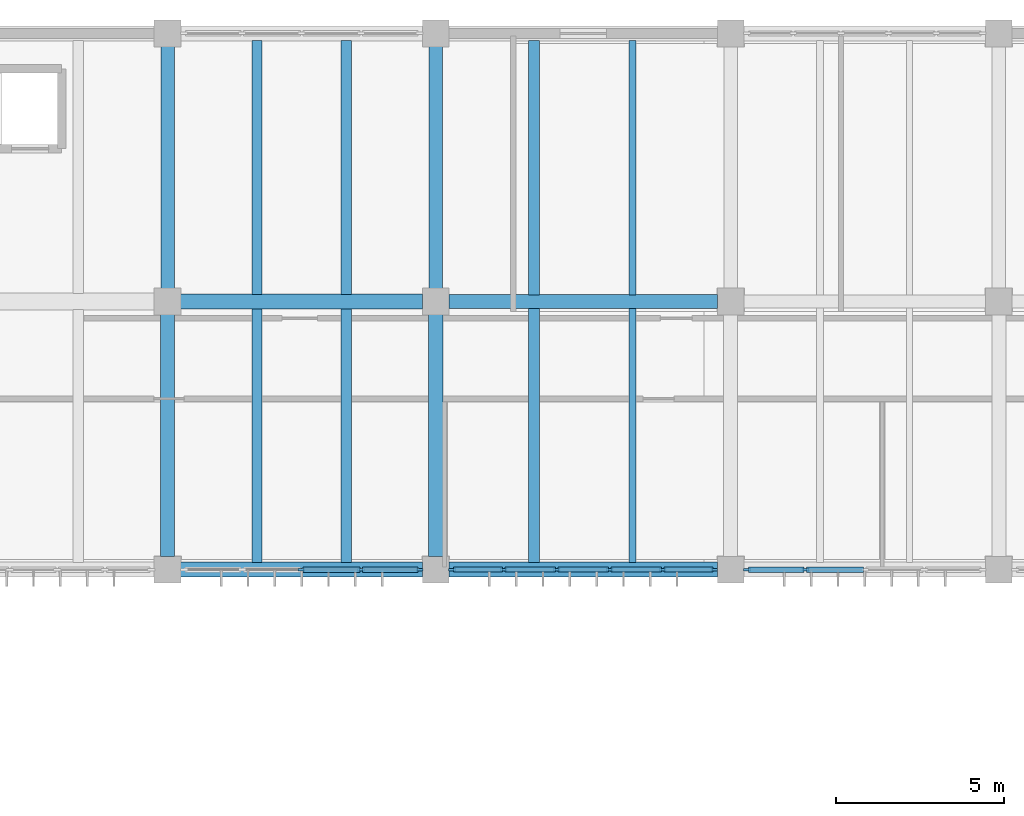
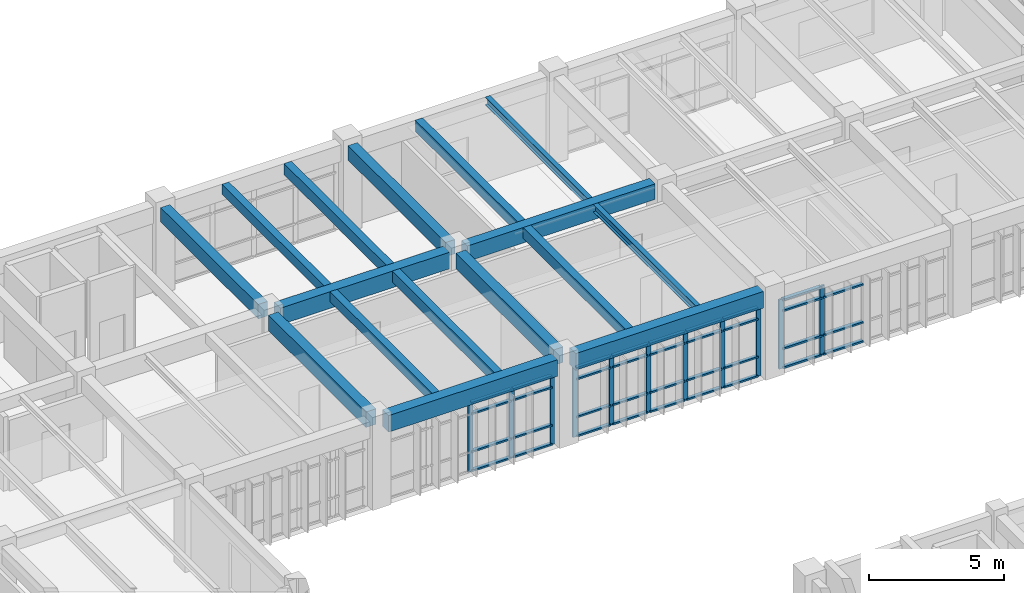
# One storey, part 18 of 67: 46 members, 16 beams, 3 elements without a shape of their own.
"""IFC4 building model written with IfcOpenShell, lengths in metres."""

from ifc_helpers import new_model, si_unit, direction, frame, origin, origin_2d, place, context, subcontext, project, spatial, rectangle, i_section, extrude, material, material_profile, profile_set, type_object, element, aggregate, save


model = new_model("IFC4")

# Units and contexts
model_context = context("Model", 3, precision=1e-05, world=origin(), true_north=direction((0.0, 1.0)))
body_context = subcontext(model_context, "Body", "Model", "MODEL_VIEW")
ifc_project = project(units=[si_unit("LENGTHUNIT", "METRE"), si_unit("AREAUNIT", "SQUARE_METRE"), si_unit("VOLUMEUNIT", "CUBIC_METRE"), si_unit("PLANEANGLEUNIT", "RADIAN"), si_unit("MASSUNIT", "GRAM", prefix="KILO")], contexts=[model_context])

# Site, building, storey
site_placement = place(None, origin())
site = spatial("IfcSite", under=ifc_project, at=site_placement, CompositionType="ELEMENT")
building_placement = place(site_placement, origin())
building = spatial("IfcBuilding", under=site, at=building_placement, Name="Tlaxcora Railside Police Headquarters", CompositionType="ELEMENT")
storey_placement = place(building_placement, frame((0.0, 0.0, 4.800048828125)))
storey = spatial("IfcBuildingStorey", under=building, at=storey_placement, Name="L01", CompositionType="ELEMENT", Elevation=4.800048828125)

# Curtain wall, members
ifc_material_1 = material(Name="Thermally broken low-E insulated glazing", Category="glass")
curtain_wall_type_1 = type_object("IfcCurtainWallType", Name="Unitised Curtain Wall Assembly CW-38", PredefinedType="NOTDEFINED", material=ifc_material_1)
curtain_wall_1_placement = place(storey_placement, origin())
curtain_wall_1 = element("IfcCurtainWall", 1, at=curtain_wall_1_placement, inside=storey, type_object=curtain_wall_type_1, Name="V5 L01 curtain wall 33", PredefinedType="NOTDEFINED")
ifc_material_2 = material(Name="Anodised aluminium framing", Category="aluminium")
ifc_material_profile_1 = material_profile(ifc_material_2, rectangle(XDim=0.074951171875, YDim=0.205078125, at=origin_2d()), Name="AL75X205")
ifc_profile_set_1 = profile_set([ifc_material_profile_1], Name="Anodised aluminium framing")
member_type_1 = type_object("IfcMemberType", Name="Curtain Wall Mullion CW-32", PredefinedType="MULLION", material=ifc_profile_set_1)
member_1_placement = place(storey_placement, frame((41.199951171875, 76.800048828125, 0.0), z_axis=(0.0, 0.0, 1.0), x_axis=(0.0, 1.0, 0.0)))
member_1 = element("IfcMember", 2, at=member_1_placement, type_object=member_type_1, Name="CW mullion 3", PredefinedType="MULLION", context=body_context, shape_type="SweptSolid", body=[
    extrude(rectangle(XDim=0.074951171875, YDim=0.205078125, at=origin_2d()), origin(), (0.0, 0.0, 1.0), 3.139892578125),
])
member_2_placement = place(storey_placement, frame((42.97509765625, 76.800048828125, 0.0), z_axis=(0.0, 0.0, 1.0), x_axis=(0.0, 1.0, 0.0)))
member_2 = element("IfcMember", 3, at=member_2_placement, type_object=member_type_1, Name="CW mullion 4", PredefinedType="MULLION", context=body_context, shape_type="SweptSolid", body=[
    extrude(rectangle(XDim=0.074951171875, YDim=0.205078125, at=origin_2d()), origin(), (0.0, 0.0, 1.0), 3.139892578125),
])
member_3_placement = place(storey_placement, frame((44.71240234375, 76.800048828125, 0.0), z_axis=(0.0, 0.0, 1.0), x_axis=(0.0, 1.0, 0.0)))
member_3 = element("IfcMember", 4, at=member_3_placement, type_object=member_type_1, Name="CW mullion 5", PredefinedType="MULLION", context=body_context, shape_type="SweptSolid", body=[
    extrude(rectangle(XDim=0.074951171875, YDim=0.205078125, at=origin_2d()), origin(), (0.0, 0.0, 1.0), 3.139892578125),
])

curtain_wall_type_2 = type_object("IfcCurtainWallType", Name="Unitised Curtain Wall Assembly CW-15", PredefinedType="NOTDEFINED", material=ifc_material_1)
curtain_wall_2_placement = place(storey_placement, origin())
curtain_wall_2 = element("IfcCurtainWall", 5, at=curtain_wall_2_placement, inside=storey, type_object=curtain_wall_type_2, Name="V5 L01 curtain wall 34", PredefinedType="NOTDEFINED")
ifc_material_profile_2 = material_profile(ifc_material_2, rectangle(XDim=0.074951171875, YDim=0.199951171875, at=origin_2d()), Name="AL75X200")
ifc_profile_set_2 = profile_set([ifc_material_profile_2], Name="Anodised aluminium framing")
member_type_2 = type_object("IfcMemberType", Name="Curtain Wall Mullion CW-58", PredefinedType="MULLION", material=ifc_profile_set_2)
member_4_placement = place(storey_placement, frame((45.6875, 76.800048828125, 0.0), z_axis=(0.0, 0.0, 1.0), x_axis=(0.0, 1.0, 0.0)))
member_4 = element("IfcMember", 6, at=member_4_placement, type_object=member_type_2, Name="CW mullion 1", PredefinedType="MULLION", context=body_context, shape_type="SweptSolid", body=[
    extrude(rectangle(XDim=0.074951171875, YDim=0.199951171875, at=origin_2d()), origin(), (0.0, 0.0, 1.0), 3.139892578125),
])
member_5_placement = place(storey_placement, frame((47.22998046875, 76.800048828125, 0.0), z_axis=(0.0, 0.0, 1.0), x_axis=(0.0, 1.0, 0.0)))
member_5 = element("IfcMember", 7, at=member_5_placement, type_object=member_type_2, Name="CW mullion 2", PredefinedType="MULLION", context=body_context, shape_type="SweptSolid", body=[
    extrude(rectangle(XDim=0.074951171875, YDim=0.199951171875, at=origin_2d()), origin(), (0.0, 0.0, 1.0), 3.139892578125),
])
member_6_placement = place(storey_placement, frame((48.81005859375, 76.800048828125, 0.0), z_axis=(0.0, 0.0, 1.0), x_axis=(0.0, 1.0, 0.0)))
member_6 = element("IfcMember", 8, at=member_6_placement, type_object=member_type_2, Name="CW mullion 3", PredefinedType="MULLION", context=body_context, shape_type="SweptSolid", body=[
    extrude(rectangle(XDim=0.074951171875, YDim=0.199951171875, at=origin_2d()), origin(), (0.0, 0.0, 1.0), 3.139892578125),
])
member_7_placement = place(storey_placement, frame((50.389892578125, 76.800048828125, 0.0), z_axis=(0.0, 0.0, 1.0), x_axis=(0.0, 1.0, 0.0)))
member_7 = element("IfcMember", 9, at=member_7_placement, type_object=member_type_2, Name="CW mullion 4", PredefinedType="MULLION", context=body_context, shape_type="SweptSolid", body=[
    extrude(rectangle(XDim=0.074951171875, YDim=0.199951171875, at=origin_2d()), origin(), (0.0, 0.0, 1.0), 3.139892578125),
])
member_8_placement = place(storey_placement, frame((51.969970703125, 76.800048828125, 0.0), z_axis=(0.0, 0.0, 1.0), x_axis=(0.0, 1.0, 0.0)))
member_8 = element("IfcMember", 10, at=member_8_placement, type_object=member_type_2, Name="CW mullion 5", PredefinedType="MULLION", context=body_context, shape_type="SweptSolid", body=[
    extrude(rectangle(XDim=0.074951171875, YDim=0.199951171875, at=origin_2d()), origin(), (0.0, 0.0, 1.0), 3.139892578125),
])
member_9_placement = place(storey_placement, frame((53.512451171875, 76.800048828125, 0.0), z_axis=(0.0, 0.0, 1.0), x_axis=(0.0, 1.0, 0.0)))
member_9 = element("IfcMember", 11, at=member_9_placement, type_object=member_type_2, Name="CW mullion 6", PredefinedType="MULLION", context=body_context, shape_type="SweptSolid", body=[
    extrude(rectangle(XDim=0.074951171875, YDim=0.199951171875, at=origin_2d()), origin(), (0.0, 0.0, 1.0), 3.139892578125),
])

curtain_wall_type_3 = type_object("IfcCurtainWallType", Name="Unitised Curtain Wall Assembly CW-83", PredefinedType="NOTDEFINED", material=ifc_material_1)
curtain_wall_3_placement = place(storey_placement, origin())
curtain_wall_3 = element("IfcCurtainWall", 12, at=curtain_wall_3_placement, inside=storey, type_object=curtain_wall_type_3, Name="V5 L01 curtain wall 35", PredefinedType="NOTDEFINED")
ifc_material_profile_3 = material_profile(ifc_material_2, rectangle(XDim=0.080078125, YDim=0.2099609375, at=origin_2d()), Name="AL80X210")
ifc_profile_set_3 = profile_set([ifc_material_profile_3], Name="Anodised aluminium framing")
member_type_3 = type_object("IfcMemberType", Name="Curtain Wall Mullion CW-76", PredefinedType="MULLION", material=ifc_profile_set_3)
member_10_placement = place(storey_placement, frame((54.489990234375, 76.800048828125, 0.0), z_axis=(0.0, 0.0, 1.0), x_axis=(0.0, 1.0, 0.0)))
member_10 = element("IfcMember", 13, at=member_10_placement, type_object=member_type_3, Name="CW mullion 1", PredefinedType="MULLION", context=body_context, shape_type="SweptSolid", body=[
    extrude(rectangle(XDim=0.080078125, YDim=0.2099609375, at=origin_2d()), origin(), (0.0, 0.0, 1.0), 3.139892578125),
])
member_11_placement = place(storey_placement, frame((56.22509765625, 76.800048828125, 0.0), z_axis=(0.0, 0.0, 1.0), x_axis=(0.0, 1.0, 0.0)))
member_11 = element("IfcMember", 14, at=member_11_placement, type_object=member_type_3, Name="CW mullion 2", PredefinedType="MULLION", context=body_context, shape_type="SweptSolid", body=[
    extrude(rectangle(XDim=0.080078125, YDim=0.2099609375, at=origin_2d()), origin(), (0.0, 0.0, 1.0), 3.139892578125),
])

# Member
ifc_material_profile_4 = material_profile(ifc_material_2, rectangle(XDim=0.14990234375, YDim=0.074951171875, at=origin_2d()), Name="AL75X150")
ifc_profile_set_4 = profile_set([ifc_material_profile_4], Name="Anodised aluminium framing")
member_type_4 = type_object("IfcMemberType", Name="Curtain Wall Transom CW-28", PredefinedType="USERDEFINED", material=ifc_profile_set_4)
member_12_placement = place(storey_placement, frame((45.72509765625, 76.800048828125, 0.037353515625), z_axis=(1.0, 0.0, 0.0), x_axis=(0.0, 1.0, 0.0)))
member_12 = element("IfcMember", 15, at=member_12_placement, type_object=member_type_4, Name="CW transom 1.1", ObjectType="TRANSOM", PredefinedType="USERDEFINED", context=body_context, shape_type="SweptSolid", body=[
    extrude(rectangle(XDim=0.14990234375, YDim=0.074951171875, at=origin_2d()), origin(), (0.0, 0.0, 1.0), 1.46728515625),
])

member_13_placement = place(storey_placement, frame((45.72509765625, 76.800048828125, 0.89990234375), z_axis=(1.0, 0.0, 0.0), x_axis=(0.0, 1.0, 0.0)))
member_13 = element("IfcMember", 16, at=member_13_placement, type_object=member_type_4, Name="CW transom 1.2", ObjectType="TRANSOM", PredefinedType="USERDEFINED", context=body_context, shape_type="SweptSolid", body=[
    extrude(rectangle(XDim=0.14990234375, YDim=0.074951171875, at=origin_2d()), origin(), (0.0, 0.0, 1.0), 1.46728515625),
])

member_14_placement = place(storey_placement, frame((45.72509765625, 76.800048828125, 2.60986328125), z_axis=(1.0, 0.0, 0.0), x_axis=(0.0, 1.0, 0.0)))
member_14 = element("IfcMember", 17, at=member_14_placement, type_object=member_type_4, Name="CW transom 1.3", ObjectType="TRANSOM", PredefinedType="USERDEFINED", context=body_context, shape_type="SweptSolid", body=[
    extrude(rectangle(XDim=0.14990234375, YDim=0.074951171875, at=origin_2d()), origin(), (0.0, 0.0, 1.0), 1.46728515625),
])

member_15_placement = place(storey_placement, frame((45.72509765625, 76.800048828125, 3.1025390625), z_axis=(1.0, 0.0, 0.0), x_axis=(0.0, 1.0, 0.0)))
member_15 = element("IfcMember", 18, at=member_15_placement, type_object=member_type_4, Name="CW transom 1.4", ObjectType="TRANSOM", PredefinedType="USERDEFINED", context=body_context, shape_type="SweptSolid", body=[
    extrude(rectangle(XDim=0.14990234375, YDim=0.074951171875, at=origin_2d()), origin(), (0.0, 0.0, 1.0), 1.46728515625),
])

member_16_placement = place(storey_placement, frame((47.267578125, 76.800048828125, 0.037353515625), z_axis=(1.0, 0.0, 0.0), x_axis=(0.0, 1.0, 0.0)))
member_16 = element("IfcMember", 19, at=member_16_placement, type_object=member_type_4, Name="CW transom 2.1", ObjectType="TRANSOM", PredefinedType="USERDEFINED", context=body_context, shape_type="SweptSolid", body=[
    extrude(rectangle(XDim=0.14990234375, YDim=0.074951171875, at=origin_2d()), origin(), (0.0, 0.0, 1.0), 1.5048828125),
])

member_17_placement = place(storey_placement, frame((47.267578125, 76.800048828125, 0.89990234375), z_axis=(1.0, 0.0, 0.0), x_axis=(0.0, 1.0, 0.0)))
member_17 = element("IfcMember", 20, at=member_17_placement, type_object=member_type_4, Name="CW transom 2.2", ObjectType="TRANSOM", PredefinedType="USERDEFINED", context=body_context, shape_type="SweptSolid", body=[
    extrude(rectangle(XDim=0.14990234375, YDim=0.074951171875, at=origin_2d()), origin(), (0.0, 0.0, 1.0), 1.5048828125),
])

member_18_placement = place(storey_placement, frame((47.267578125, 76.800048828125, 2.60986328125), z_axis=(1.0, 0.0, 0.0), x_axis=(0.0, 1.0, 0.0)))
member_18 = element("IfcMember", 21, at=member_18_placement, type_object=member_type_4, Name="CW transom 2.3", ObjectType="TRANSOM", PredefinedType="USERDEFINED", context=body_context, shape_type="SweptSolid", body=[
    extrude(rectangle(XDim=0.14990234375, YDim=0.074951171875, at=origin_2d()), origin(), (0.0, 0.0, 1.0), 1.5048828125),
])

member_19_placement = place(storey_placement, frame((47.267578125, 76.800048828125, 3.1025390625), z_axis=(1.0, 0.0, 0.0), x_axis=(0.0, 1.0, 0.0)))
member_19 = element("IfcMember", 22, at=member_19_placement, type_object=member_type_4, Name="CW transom 2.4", ObjectType="TRANSOM", PredefinedType="USERDEFINED", context=body_context, shape_type="SweptSolid", body=[
    extrude(rectangle(XDim=0.14990234375, YDim=0.074951171875, at=origin_2d()), origin(), (0.0, 0.0, 1.0), 1.5048828125),
])

member_20_placement = place(storey_placement, frame((48.847412109375, 76.800048828125, 0.037353515625), z_axis=(1.0, 0.0, 0.0), x_axis=(0.0, 1.0, 0.0)))
member_20 = element("IfcMember", 23, at=member_20_placement, type_object=member_type_4, Name="CW transom 3.1", ObjectType="TRANSOM", PredefinedType="USERDEFINED", context=body_context, shape_type="SweptSolid", body=[
    extrude(rectangle(XDim=0.14990234375, YDim=0.074951171875, at=origin_2d()), origin(), (0.0, 0.0, 1.0), 1.505126953125),
])

member_21_placement = place(storey_placement, frame((48.847412109375, 76.800048828125, 0.89990234375), z_axis=(1.0, 0.0, 0.0), x_axis=(0.0, 1.0, 0.0)))
member_21 = element("IfcMember", 24, at=member_21_placement, type_object=member_type_4, Name="CW transom 3.2", ObjectType="TRANSOM", PredefinedType="USERDEFINED", context=body_context, shape_type="SweptSolid", body=[
    extrude(rectangle(XDim=0.14990234375, YDim=0.074951171875, at=origin_2d()), origin(), (0.0, 0.0, 1.0), 1.505126953125),
])

member_22_placement = place(storey_placement, frame((48.847412109375, 76.800048828125, 2.60986328125), z_axis=(1.0, 0.0, 0.0), x_axis=(0.0, 1.0, 0.0)))
member_22 = element("IfcMember", 25, at=member_22_placement, type_object=member_type_4, Name="CW transom 3.3", ObjectType="TRANSOM", PredefinedType="USERDEFINED", context=body_context, shape_type="SweptSolid", body=[
    extrude(rectangle(XDim=0.14990234375, YDim=0.074951171875, at=origin_2d()), origin(), (0.0, 0.0, 1.0), 1.505126953125),
])

member_23_placement = place(storey_placement, frame((48.847412109375, 76.800048828125, 3.1025390625), z_axis=(1.0, 0.0, 0.0), x_axis=(0.0, 1.0, 0.0)))
member_23 = element("IfcMember", 26, at=member_23_placement, type_object=member_type_4, Name="CW transom 3.4", ObjectType="TRANSOM", PredefinedType="USERDEFINED", context=body_context, shape_type="SweptSolid", body=[
    extrude(rectangle(XDim=0.14990234375, YDim=0.074951171875, at=origin_2d()), origin(), (0.0, 0.0, 1.0), 1.505126953125),
])

member_24_placement = place(storey_placement, frame((50.427490234375, 76.800048828125, 0.037353515625), z_axis=(1.0, 0.0, 0.0), x_axis=(0.0, 1.0, 0.0)))
member_24 = element("IfcMember", 27, at=member_24_placement, type_object=member_type_4, Name="CW transom 4.1", ObjectType="TRANSOM", PredefinedType="USERDEFINED", context=body_context, shape_type="SweptSolid", body=[
    extrude(rectangle(XDim=0.14990234375, YDim=0.074951171875, at=origin_2d()), origin(), (0.0, 0.0, 1.0), 1.505126953125),
])

member_25_placement = place(storey_placement, frame((50.427490234375, 76.800048828125, 0.89990234375), z_axis=(1.0, 0.0, 0.0), x_axis=(0.0, 1.0, 0.0)))
member_25 = element("IfcMember", 28, at=member_25_placement, type_object=member_type_4, Name="CW transom 4.2", ObjectType="TRANSOM", PredefinedType="USERDEFINED", context=body_context, shape_type="SweptSolid", body=[
    extrude(rectangle(XDim=0.14990234375, YDim=0.074951171875, at=origin_2d()), origin(), (0.0, 0.0, 1.0), 1.505126953125),
])

member_26_placement = place(storey_placement, frame((50.427490234375, 76.800048828125, 2.60986328125), z_axis=(1.0, 0.0, 0.0), x_axis=(0.0, 1.0, 0.0)))
member_26 = element("IfcMember", 29, at=member_26_placement, type_object=member_type_4, Name="CW transom 4.3", ObjectType="TRANSOM", PredefinedType="USERDEFINED", context=body_context, shape_type="SweptSolid", body=[
    extrude(rectangle(XDim=0.14990234375, YDim=0.074951171875, at=origin_2d()), origin(), (0.0, 0.0, 1.0), 1.505126953125),
])

member_27_placement = place(storey_placement, frame((50.427490234375, 76.800048828125, 3.1025390625), z_axis=(1.0, 0.0, 0.0), x_axis=(0.0, 1.0, 0.0)))
member_27 = element("IfcMember", 30, at=member_27_placement, type_object=member_type_4, Name="CW transom 4.4", ObjectType="TRANSOM", PredefinedType="USERDEFINED", context=body_context, shape_type="SweptSolid", body=[
    extrude(rectangle(XDim=0.14990234375, YDim=0.074951171875, at=origin_2d()), origin(), (0.0, 0.0, 1.0), 1.505126953125),
])

member_28_placement = place(storey_placement, frame((52.007568359375, 76.800048828125, 0.037353515625), z_axis=(1.0, 0.0, 0.0), x_axis=(0.0, 1.0, 0.0)))
member_28 = element("IfcMember", 31, at=member_28_placement, type_object=member_type_4, Name="CW transom 5.1", ObjectType="TRANSOM", PredefinedType="USERDEFINED", context=body_context, shape_type="SweptSolid", body=[
    extrude(rectangle(XDim=0.14990234375, YDim=0.074951171875, at=origin_2d()), origin(), (0.0, 0.0, 1.0), 1.467529296875),
])

member_29_placement = place(storey_placement, frame((52.007568359375, 76.800048828125, 0.89990234375), z_axis=(1.0, 0.0, 0.0), x_axis=(0.0, 1.0, 0.0)))
member_29 = element("IfcMember", 32, at=member_29_placement, type_object=member_type_4, Name="CW transom 5.2", ObjectType="TRANSOM", PredefinedType="USERDEFINED", context=body_context, shape_type="SweptSolid", body=[
    extrude(rectangle(XDim=0.14990234375, YDim=0.074951171875, at=origin_2d()), origin(), (0.0, 0.0, 1.0), 1.467529296875),
])

member_30_placement = place(storey_placement, frame((52.007568359375, 76.800048828125, 2.60986328125), z_axis=(1.0, 0.0, 0.0), x_axis=(0.0, 1.0, 0.0)))
member_30 = element("IfcMember", 33, at=member_30_placement, type_object=member_type_4, Name="CW transom 5.3", ObjectType="TRANSOM", PredefinedType="USERDEFINED", context=body_context, shape_type="SweptSolid", body=[
    extrude(rectangle(XDim=0.14990234375, YDim=0.074951171875, at=origin_2d()), origin(), (0.0, 0.0, 1.0), 1.467529296875),
])

member_31_placement = place(storey_placement, frame((52.007568359375, 76.800048828125, 3.1025390625), z_axis=(1.0, 0.0, 0.0), x_axis=(0.0, 1.0, 0.0)))
member_31 = element("IfcMember", 34, at=member_31_placement, type_object=member_type_4, Name="CW transom 5.4", ObjectType="TRANSOM", PredefinedType="USERDEFINED", context=body_context, shape_type="SweptSolid", body=[
    extrude(rectangle(XDim=0.14990234375, YDim=0.074951171875, at=origin_2d()), origin(), (0.0, 0.0, 1.0), 1.467529296875),
])

aggregate(curtain_wall_2, [member_4, member_5, member_6, member_7, member_8, member_9, member_12, member_13, member_14, member_15, member_16, member_17, member_18, member_19, member_20, member_21, member_22, member_23, member_24, member_25, member_26, member_27, member_28, member_29, member_30, member_31])

ifc_material_profile_5 = material_profile(ifc_material_2, rectangle(XDim=0.155029296875, YDim=0.074951171875, at=origin_2d()), Name="AL75X155")
ifc_profile_set_5 = profile_set([ifc_material_profile_5], Name="Anodised aluminium framing")
member_type_5 = type_object("IfcMemberType", Name="Curtain Wall Transom CW-30", PredefinedType="USERDEFINED", material=ifc_profile_set_5)
member_32_placement = place(storey_placement, frame((41.237548828125, 76.800048828125, 0.037353515625), z_axis=(1.0, 0.0, 0.0), x_axis=(0.0, 1.0, 0.0)))
member_32 = element("IfcMember", 35, at=member_32_placement, type_object=member_type_5, Name="CW transom 3.1", ObjectType="TRANSOM", PredefinedType="USERDEFINED", context=body_context, shape_type="SweptSolid", body=[
    extrude(rectangle(XDim=0.155029296875, YDim=0.074951171875, at=origin_2d()), origin(), (0.0, 0.0, 1.0), 1.699951171875),
])

member_33_placement = place(storey_placement, frame((41.237548828125, 76.800048828125, 0.89990234375), z_axis=(1.0, 0.0, 0.0), x_axis=(0.0, 1.0, 0.0)))
member_33 = element("IfcMember", 36, at=member_33_placement, type_object=member_type_5, Name="CW transom 3.2", ObjectType="TRANSOM", PredefinedType="USERDEFINED", context=body_context, shape_type="SweptSolid", body=[
    extrude(rectangle(XDim=0.155029296875, YDim=0.074951171875, at=origin_2d()), origin(), (0.0, 0.0, 1.0), 1.699951171875),
])

member_34_placement = place(storey_placement, frame((41.237548828125, 76.800048828125, 2.60986328125), z_axis=(1.0, 0.0, 0.0), x_axis=(0.0, 1.0, 0.0)))
member_34 = element("IfcMember", 37, at=member_34_placement, type_object=member_type_5, Name="CW transom 3.3", ObjectType="TRANSOM", PredefinedType="USERDEFINED", context=body_context, shape_type="SweptSolid", body=[
    extrude(rectangle(XDim=0.155029296875, YDim=0.074951171875, at=origin_2d()), origin(), (0.0, 0.0, 1.0), 1.699951171875),
])

member_35_placement = place(storey_placement, frame((41.237548828125, 76.800048828125, 3.1025390625), z_axis=(1.0, 0.0, 0.0), x_axis=(0.0, 1.0, 0.0)))
member_35 = element("IfcMember", 38, at=member_35_placement, type_object=member_type_5, Name="CW transom 3.4", ObjectType="TRANSOM", PredefinedType="USERDEFINED", context=body_context, shape_type="SweptSolid", body=[
    extrude(rectangle(XDim=0.155029296875, YDim=0.074951171875, at=origin_2d()), origin(), (0.0, 0.0, 1.0), 1.699951171875),
])

member_36_placement = place(storey_placement, frame((43.012451171875, 76.800048828125, 0.037353515625), z_axis=(1.0, 0.0, 0.0), x_axis=(0.0, 1.0, 0.0)))
member_36 = element("IfcMember", 39, at=member_36_placement, type_object=member_type_5, Name="CW transom 4.1", ObjectType="TRANSOM", PredefinedType="USERDEFINED", context=body_context, shape_type="SweptSolid", body=[
    extrude(rectangle(XDim=0.155029296875, YDim=0.074951171875, at=origin_2d()), origin(), (0.0, 0.0, 1.0), 1.66259765625),
])

member_37_placement = place(storey_placement, frame((43.012451171875, 76.800048828125, 0.89990234375), z_axis=(1.0, 0.0, 0.0), x_axis=(0.0, 1.0, 0.0)))
member_37 = element("IfcMember", 40, at=member_37_placement, type_object=member_type_5, Name="CW transom 4.2", ObjectType="TRANSOM", PredefinedType="USERDEFINED", context=body_context, shape_type="SweptSolid", body=[
    extrude(rectangle(XDim=0.155029296875, YDim=0.074951171875, at=origin_2d()), origin(), (0.0, 0.0, 1.0), 1.66259765625),
])

member_38_placement = place(storey_placement, frame((43.012451171875, 76.800048828125, 2.60986328125), z_axis=(1.0, 0.0, 0.0), x_axis=(0.0, 1.0, 0.0)))
member_38 = element("IfcMember", 41, at=member_38_placement, type_object=member_type_5, Name="CW transom 4.3", ObjectType="TRANSOM", PredefinedType="USERDEFINED", context=body_context, shape_type="SweptSolid", body=[
    extrude(rectangle(XDim=0.155029296875, YDim=0.074951171875, at=origin_2d()), origin(), (0.0, 0.0, 1.0), 1.66259765625),
])

member_39_placement = place(storey_placement, frame((43.012451171875, 76.800048828125, 3.1025390625), z_axis=(1.0, 0.0, 0.0), x_axis=(0.0, 1.0, 0.0)))
member_39 = element("IfcMember", 42, at=member_39_placement, type_object=member_type_5, Name="CW transom 4.4", ObjectType="TRANSOM", PredefinedType="USERDEFINED", context=body_context, shape_type="SweptSolid", body=[
    extrude(rectangle(XDim=0.155029296875, YDim=0.074951171875, at=origin_2d()), origin(), (0.0, 0.0, 1.0), 1.66259765625),
])

aggregate(curtain_wall_1, [member_1, member_2, member_3, member_32, member_33, member_34, member_35, member_36, member_37, member_38, member_39])

ifc_material_profile_6 = material_profile(ifc_material_2, rectangle(XDim=0.159912109375, YDim=0.080078125, at=origin_2d()), Name="AL80X160")
ifc_profile_set_6 = profile_set([ifc_material_profile_6], Name="Anodised aluminium framing")
member_type_6 = type_object("IfcMemberType", Name="Curtain Wall Transom CW-82", PredefinedType="USERDEFINED", material=ifc_profile_set_6)
member_40_placement = place(storey_placement, frame((54.530029296875, 76.800048828125, 0.0400390625), z_axis=(1.0, 0.0, 0.0), x_axis=(0.0, 1.0, 0.0)))
member_40 = element("IfcMember", 43, at=member_40_placement, type_object=member_type_6, Name="CW transom 1.1", ObjectType="TRANSOM", PredefinedType="USERDEFINED", context=body_context, shape_type="SweptSolid", body=[
    extrude(rectangle(XDim=0.159912109375, YDim=0.080078125, at=origin_2d()), origin(), (0.0, 0.0, 1.0), 1.655029296875),
])

member_41_placement = place(storey_placement, frame((54.530029296875, 76.800048828125, 0.89990234375), z_axis=(1.0, 0.0, 0.0), x_axis=(0.0, 1.0, 0.0)))
member_41 = element("IfcMember", 44, at=member_41_placement, type_object=member_type_6, Name="CW transom 1.2", ObjectType="TRANSOM", PredefinedType="USERDEFINED", context=body_context, shape_type="SweptSolid", body=[
    extrude(rectangle(XDim=0.159912109375, YDim=0.080078125, at=origin_2d()), origin(), (0.0, 0.0, 1.0), 1.655029296875),
])

member_42_placement = place(storey_placement, frame((54.530029296875, 76.800048828125, 2.60986328125), z_axis=(1.0, 0.0, 0.0), x_axis=(0.0, 1.0, 0.0)))
member_42 = element("IfcMember", 45, at=member_42_placement, type_object=member_type_6, Name="CW transom 1.3", ObjectType="TRANSOM", PredefinedType="USERDEFINED", context=body_context, shape_type="SweptSolid", body=[
    extrude(rectangle(XDim=0.159912109375, YDim=0.080078125, at=origin_2d()), origin(), (0.0, 0.0, 1.0), 1.655029296875),
])

member_43_placement = place(storey_placement, frame((54.530029296875, 76.800048828125, 3.099853515625), z_axis=(1.0, 0.0, 0.0), x_axis=(0.0, 1.0, 0.0)))
member_43 = element("IfcMember", 46, at=member_43_placement, type_object=member_type_6, Name="CW transom 1.4", ObjectType="TRANSOM", PredefinedType="USERDEFINED", context=body_context, shape_type="SweptSolid", body=[
    extrude(rectangle(XDim=0.159912109375, YDim=0.080078125, at=origin_2d()), origin(), (0.0, 0.0, 1.0), 1.655029296875),
])

member_44_placement = place(storey_placement, frame((56.264892578125, 76.800048828125, 0.0400390625), z_axis=(1.0, 0.0, 0.0), x_axis=(0.0, 1.0, 0.0)))
member_44 = element("IfcMember", 47, at=member_44_placement, type_object=member_type_6, Name="CW transom 2.1", ObjectType="TRANSOM", PredefinedType="USERDEFINED", context=body_context, shape_type="SweptSolid", body=[
    extrude(rectangle(XDim=0.159912109375, YDim=0.080078125, at=origin_2d()), origin(), (0.0, 0.0, 1.0), 1.695068359375),
])

member_45_placement = place(storey_placement, frame((56.264892578125, 76.800048828125, 0.89990234375), z_axis=(1.0, 0.0, 0.0), x_axis=(0.0, 1.0, 0.0)))
member_45 = element("IfcMember", 48, at=member_45_placement, type_object=member_type_6, Name="CW transom 2.2", ObjectType="TRANSOM", PredefinedType="USERDEFINED", context=body_context, shape_type="SweptSolid", body=[
    extrude(rectangle(XDim=0.159912109375, YDim=0.080078125, at=origin_2d()), origin(), (0.0, 0.0, 1.0), 1.695068359375),
])

member_46_placement = place(storey_placement, frame((56.264892578125, 76.800048828125, 2.60986328125), z_axis=(1.0, 0.0, 0.0), x_axis=(0.0, 1.0, 0.0)))
member_46 = element("IfcMember", 49, at=member_46_placement, type_object=member_type_6, Name="CW transom 2.3", ObjectType="TRANSOM", PredefinedType="USERDEFINED", context=body_context, shape_type="SweptSolid", body=[
    extrude(rectangle(XDim=0.159912109375, YDim=0.080078125, at=origin_2d()), origin(), (0.0, 0.0, 1.0), 1.695068359375),
])

aggregate(curtain_wall_3, [member_10, member_11, member_40, member_41, member_42, member_43, member_44, member_45, member_46])

# Beams
ifc_material_3 = material(Name="Concrete C40/50", Category="concrete")
ifc_material_profile_7 = material_profile(ifc_material_3, rectangle(XDim=0.449951171875, YDim=0.75, at=origin_2d()), Name="RC450X750")
ifc_profile_set_7 = profile_set([ifc_material_profile_7], Name="Concrete C40/50")
beam_type_1 = type_object("IfcBeamType", Name="Perimeter Spandrel Beam BM-86", PredefinedType="SPANDREL", material=ifc_profile_set_7)
beam_1_placement = place(storey_placement, frame((37.590087890625, 76.800048828125, 3.534912109375), z_axis=(1.0, 0.0, 0.0), x_axis=(0.0, 1.0, 0.0)))
element("IfcBeam", 50, at=beam_1_placement, inside=storey, type_object=beam_type_1, Name="V5 L01 X-girder Y=76.8", PredefinedType="SPANDREL", context=body_context, shape_type="SweptSolid", body=[
    extrude(rectangle(XDim=0.449951171875, YDim=0.75, at=origin_2d()), origin(), (0.0, 0.0, 1.0), 7.219970703125),
])
beam_2_placement = place(storey_placement, frame((45.590087890625, 76.800048828125, 3.534912109375), z_axis=(1.0, 0.0, 0.0), x_axis=(0.0, 1.0, 0.0)))
element("IfcBeam", 51, at=beam_2_placement, inside=storey, type_object=beam_type_1, Name="V5 L01 X-girder Y=76.8", PredefinedType="SPANDREL", context=body_context, shape_type="SweptSolid", body=[
    extrude(rectangle(XDim=0.449951171875, YDim=0.75, at=origin_2d()), origin(), (0.0, 0.0, 1.0), 8.02001953125),
])
ifc_material_profile_8 = material_profile(ifc_material_3, rectangle(XDim=0.419921875, YDim=0.699951171875, at=origin_2d()), Name="RC420X700")
ifc_profile_set_8 = profile_set([ifc_material_profile_8], Name="Concrete C40/50")
beam_type_2 = type_object("IfcBeamType", Name="Primary Frame Girder BM-35", PredefinedType="BEAM", material=ifc_profile_set_8)
beam_3_placement = place(storey_placement, frame((45.590087890625, 84.800048828125, 3.56005859375), z_axis=(1.0, 0.0, 0.0), x_axis=(0.0, 1.0, 0.0)))
element("IfcBeam", 52, at=beam_3_placement, inside=storey, type_object=beam_type_2, Name="V5 L01 X-girder Y=84.8", PredefinedType="BEAM", context=body_context, shape_type="SweptSolid", body=[
    extrude(rectangle(XDim=0.419921875, YDim=0.699951171875, at=origin_2d()), origin(), (0.0, 0.0, 1.0), 8.02001953125),
])
for number, where, z_axis, x_axis, name in (
    (53, (37.199951171875, 77.18994140625, 3.56005859375), (0.0, 1.0, 0.0), (-1.0, 0.0, 0.0), "V5 L01 Y-girder X=37.2"),
    (54, (45.199951171875, 77.18994140625, 3.56005859375), (0.0, 1.0, 0.0), (-1.0, 0.0, 0.0), "V5 L01 Y-girder X=45.2"),
):
    element("IfcBeam", number, at=place(storey_placement, frame(where, z_axis=z_axis, x_axis=x_axis)), inside=storey, type_object=beam_type_2, Name=name, PredefinedType="BEAM", context=body_context, shape_type="SweptSolid", body=[
        extrude(rectangle(XDim=0.419921875, YDim=0.699951171875, at=origin_2d()), origin(), (0.0, 0.0, 1.0), 7.219970703125),
    ])
ifc_material_profile_9 = material_profile(ifc_material_3, rectangle(XDim=0.39990234375, YDim=0.64990234375, at=origin_2d()), Name="RC400X650")
ifc_profile_set_9 = profile_set([ifc_material_profile_9], Name="Concrete C40/50")
beam_type_3 = type_object("IfcBeamType", Name="Primary Frame Girder BM-41", PredefinedType="BEAM", material=ifc_profile_set_9)
for number, where, z_axis, x_axis, name in (
    (55, (37.199951171875, 85.18994140625, 3.5849609375), (0.0, 1.0, 0.0), (-1.0, 0.0, 0.0), "V5 L01 Y-girder X=37.2"),
    (56, (45.199951171875, 85.18994140625, 3.5849609375), (0.0, 1.0, 0.0), (-1.0, 0.0, 0.0), "V5 L01 Y-girder X=45.2"),
):
    element("IfcBeam", number, at=place(storey_placement, frame(where, z_axis=z_axis, x_axis=x_axis)), inside=storey, type_object=beam_type_3, Name=name, PredefinedType="BEAM", context=body_context, shape_type="SweptSolid", body=[
        extrude(rectangle(XDim=0.39990234375, YDim=0.64990234375, at=origin_2d()), origin(), (0.0, 0.0, 1.0), 7.219970703125),
    ])
ifc_material_profile_10 = material_profile(ifc_material_3, rectangle(XDim=0.449951171875, YDim=0.75, at=origin_2d()), Name="RC450X750")
ifc_profile_set_10 = profile_set([ifc_material_profile_10], Name="Concrete C40/50")
beam_type_4 = type_object("IfcBeamType", Name="Primary Frame Girder BM-73", PredefinedType="BEAM", material=ifc_profile_set_10)
beam_4_placement = place(storey_placement, frame((37.590087890625, 84.800048828125, 3.534912109375), z_axis=(1.0, 0.0, 0.0), x_axis=(0.0, 1.0, 0.0)))
element("IfcBeam", 57, at=beam_4_placement, inside=storey, type_object=beam_type_4, Name="V5 L01 X-girder Y=84.8", PredefinedType="BEAM", context=body_context, shape_type="SweptSolid", body=[
    extrude(rectangle(XDim=0.449951171875, YDim=0.75, at=origin_2d()), origin(), (0.0, 0.0, 1.0), 7.219970703125),
])
ifc_material_4 = material(Name="Concrete C35/45", Category="concrete")
ifc_material_profile_11 = material_profile(ifc_material_4, rectangle(XDim=0.300048828125, YDim=0.449951171875, at=origin_2d()), Name="RC300X450")
ifc_profile_set_11 = profile_set([ifc_material_profile_11], Name="Concrete C35/45")
beam_type_5 = type_object("IfcBeamType", Name="Secondary Floor Joist BM-27", PredefinedType="JOIST", material=ifc_profile_set_11)
for number, where, z_axis, x_axis, name in (
    (58, (39.86669921875, 77.01708984375, 3.68505859375), (0.0, 1.0, 0.0), (-1.0, 0.0, 0.0), "V5 L01 floor joist X=39.87"),
    (59, (39.86669921875, 85.01708984375, 3.68505859375), (0.0, 1.0, 0.0), (-1.0, 0.0, 0.0), "V5 L01 floor joist X=39.87"),
):
    element("IfcBeam", number, at=place(storey_placement, frame(where, z_axis=z_axis, x_axis=x_axis)), inside=storey, type_object=beam_type_5, Name=name, PredefinedType="JOIST", context=body_context, shape_type="SweptSolid", body=[
        extrude(rectangle(XDim=0.300048828125, YDim=0.449951171875, at=origin_2d()), origin(), (0.0, 0.0, 1.0), 7.56591796875),
    ])
ifc_material_5 = material(Name="Steel ASTM A992 Grade 50", Category="steel")
ifc_material_profile_12 = material_profile(ifc_material_5, i_section(OverallWidth=0.2041015625, OverallDepth=0.35009765625, WebThickness=0.008544921875, FlangeThickness=0.01513671875, at=origin_2d()), Name="W14X48")
ifc_profile_set_12 = profile_set([ifc_material_profile_12], Name="Steel ASTM A992 Grade 50")
beam_type_6 = type_object("IfcBeamType", Name="Secondary Floor Joist BM-65", PredefinedType="JOIST", material=ifc_profile_set_12)
beam_5_placement = place(storey_placement, frame((51.066650390625, 77.01708984375, 3.73486328125), z_axis=(0.0, 1.0, 0.0), x_axis=(-1.0, 0.0, 0.0)))
element("IfcBeam", 60, at=beam_5_placement, inside=storey, type_object=beam_type_6, Name="V5 L01 floor joist X=51.07", PredefinedType="JOIST", context=body_context, shape_type="SweptSolid", body=[
    extrude(i_section(OverallWidth=0.2041015625, OverallDepth=0.35009765625, WebThickness=0.008544921875, FlangeThickness=0.01513671875, at=origin_2d()), origin(), (0.0, 0.0, 1.0), 7.580810546875),
])
beam_6_placement = place(storey_placement, frame((51.066650390625, 85.001953125, 3.73486328125), z_axis=(0.0, 1.0, 0.0), x_axis=(-1.0, 0.0, 0.0)))
element("IfcBeam", 61, at=beam_6_placement, inside=storey, type_object=beam_type_6, Name="V5 L01 floor joist X=51.07", PredefinedType="JOIST", context=body_context, shape_type="SweptSolid", body=[
    extrude(i_section(OverallWidth=0.2041015625, OverallDepth=0.35009765625, WebThickness=0.008544921875, FlangeThickness=0.01513671875, at=origin_2d()), origin(), (0.0, 0.0, 1.0), 7.5810546875),
])
ifc_material_profile_13 = material_profile(ifc_material_4, rectangle(XDim=0.320068359375, YDim=0.5, at=origin_2d()), Name="RC320X500")
ifc_profile_set_13 = profile_set([ifc_material_profile_13], Name="Concrete C35/45")
beam_type_7 = type_object("IfcBeamType", Name="Secondary Floor Joist BM-88", PredefinedType="JOIST", material=ifc_profile_set_13)
beam_7_placement = place(storey_placement, frame((42.533203125, 77.01708984375, 3.659912109375), z_axis=(0.0, 1.0, 0.0), x_axis=(-1.0, 0.0, 0.0)))
element("IfcBeam", 62, at=beam_7_placement, inside=storey, type_object=beam_type_7, Name="V5 L01 floor joist X=42.53", PredefinedType="JOIST", context=body_context, shape_type="SweptSolid", body=[
    extrude(rectangle(XDim=0.320068359375, YDim=0.5, at=origin_2d()), origin(), (0.0, 0.0, 1.0), 7.56591796875),
])
beam_8_placement = place(storey_placement, frame((48.13330078125, 77.01708984375, 3.659912109375), z_axis=(0.0, 1.0, 0.0), x_axis=(-1.0, 0.0, 0.0)))
element("IfcBeam", 63, at=beam_8_placement, inside=storey, type_object=beam_type_7, Name="V5 L01 floor joist X=48.13", PredefinedType="JOIST", context=body_context, shape_type="SweptSolid", body=[
    extrude(rectangle(XDim=0.320068359375, YDim=0.5, at=origin_2d()), origin(), (0.0, 0.0, 1.0), 7.580810546875),
])
beam_9_placement = place(storey_placement, frame((42.533203125, 85.01708984375, 3.659912109375), z_axis=(0.0, 1.0, 0.0), x_axis=(-1.0, 0.0, 0.0)))
element("IfcBeam", 64, at=beam_9_placement, inside=storey, type_object=beam_type_7, Name="V5 L01 floor joist X=42.53", PredefinedType="JOIST", context=body_context, shape_type="SweptSolid", body=[
    extrude(rectangle(XDim=0.320068359375, YDim=0.5, at=origin_2d()), origin(), (0.0, 0.0, 1.0), 7.56591796875),
])
beam_10_placement = place(storey_placement, frame((48.13330078125, 85.001953125, 3.659912109375), z_axis=(0.0, 1.0, 0.0), x_axis=(-1.0, 0.0, 0.0)))
element("IfcBeam", 65, at=beam_10_placement, inside=storey, type_object=beam_type_7, Name="V5 L01 floor joist X=48.13", PredefinedType="JOIST", context=body_context, shape_type="SweptSolid", body=[
    extrude(rectangle(XDim=0.320068359375, YDim=0.5, at=origin_2d()), origin(), (0.0, 0.0, 1.0), 7.5810546875),
])

save(model, "model.ifc")
